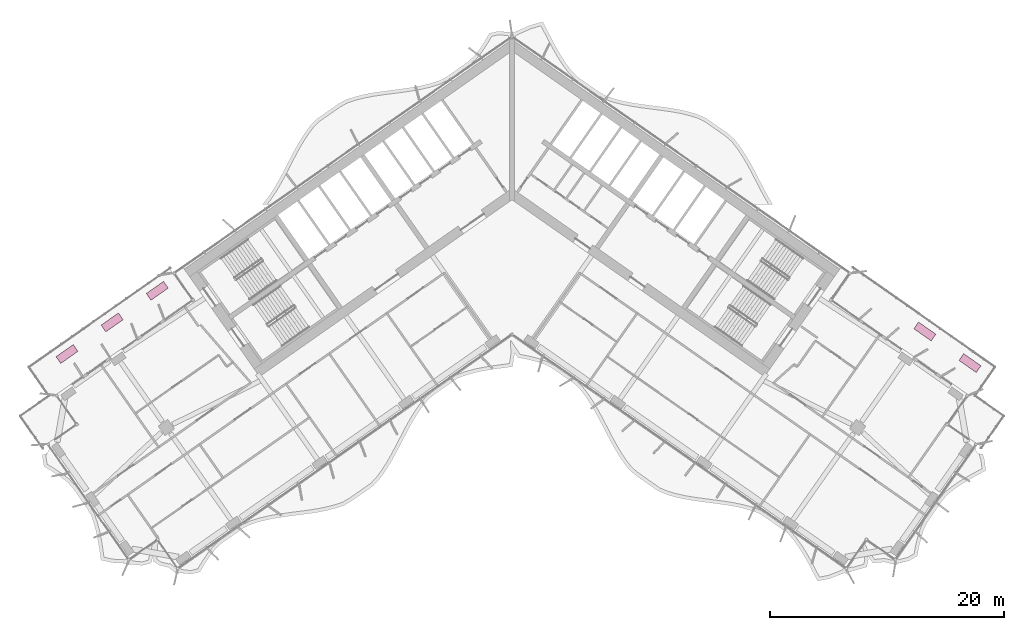
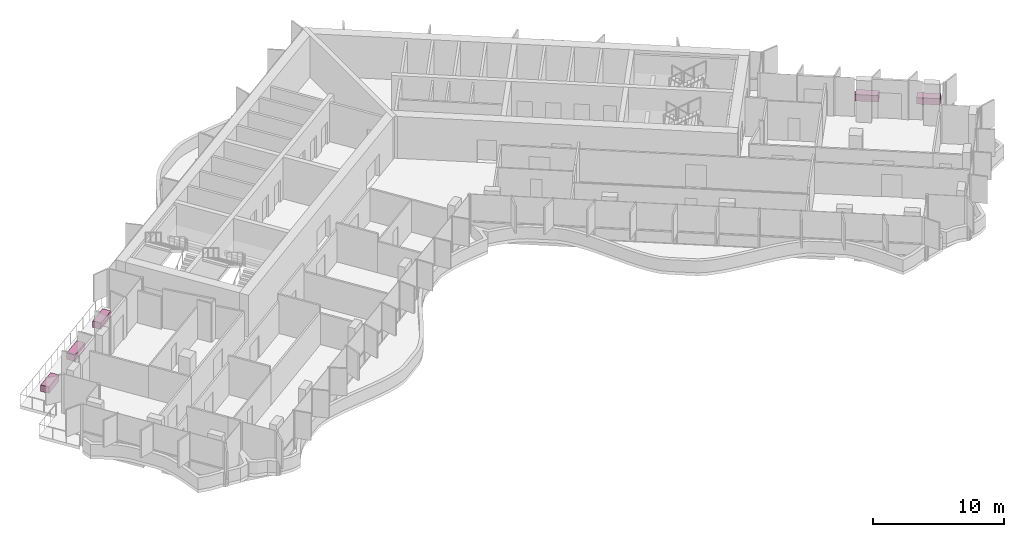
# One storey, part 24 of 24: 5 furniture elements.
"""IFC4 building model written with IfcOpenShell, lengths in metres."""

from ifc_helpers import new_model, si_unit, direction, frame, origin, origin_2d, place, context, subcontext, project, spatial, rectangle, extrude, material, type_object, element, save


model = new_model("IFC4")

# Units and contexts
model_context = context("Model", 3, precision=1e-05, world=origin(), true_north=direction((0.0, 1.0)))
body_context = subcontext(model_context, "Body", "Model", "MODEL_VIEW")
ifc_project = project(units=[si_unit("LENGTHUNIT", "METRE"), si_unit("AREAUNIT", "SQUARE_METRE"), si_unit("VOLUMEUNIT", "CUBIC_METRE"), si_unit("PLANEANGLEUNIT", "RADIAN"), si_unit("MASSUNIT", "GRAM", prefix="KILO")], contexts=[model_context])

# Site, building, storey
site_placement = place(None, origin())
site = spatial("IfcSite", under=ifc_project, at=site_placement, CompositionType="ELEMENT")
building_placement = place(site_placement, origin())
building = spatial("IfcBuilding", under=site, at=building_placement, Name="Tel Ilan Convention Tower", CompositionType="ELEMENT")
storey_placement = place(building_placement, frame((0.0, 0.0, 132.0)))
storey = spatial("IfcBuildingStorey", under=building, at=storey_placement, Name="L29", CompositionType="ELEMENT", Elevation=132.0)

# Furniture
ifc_material = material(Name="Concrete C30/37", Category="concrete")
furniture_type = type_object("IfcFurnitureType", Name="PLANTER 1800x700", AssemblyPlace="NOTDEFINED", PredefinedType="NOTDEFINED", material=ifc_material)
for number, where, z_axis, x_axis, name in (
    (1, (35.225341796875, -12.457275390625, 0.0), (0.0, 0.0, 1.0), (0.819152044289, -0.573576436351, 0.0), "PLANTER"),
    (2, (39.0751953125, -15.153076171875, 0.0), (0.0, 0.0, 1.0), (0.819152044289, -0.573576436351, 0.0), "PLANTER"),
    (3, (-37.969482421875, -14.378662109375, 0.0), (0.0, 0.0, 1.0), (0.819152044289, 0.573576436351, 0.0), "PLANTER"),
    (4, (-34.119384765625, -11.682861328125, 0.0), (0.0, 0.0, 1.0), (0.819152044289, 0.573576436351, 0.0), "PLANTER"),
    (5, (-30.269287109375, -8.987060546875, 0.0), (0.0, 0.0, 1.0), (0.819152044289, 0.573576436351, 0.0), "PLANTER"),
):
    element("IfcFurniture", number, at=place(storey_placement, frame(where, z_axis=z_axis, x_axis=x_axis)), inside=storey, type_object=furniture_type, Name=name, PredefinedType="NOTDEFINED", context=body_context, shape_type="SweptSolid", body=[
        extrude(rectangle(XDim=1.800048828125, YDim=0.699951171875, at=origin_2d()), origin(), (0.0, 0.0, 1.0), 0.60009765625),
    ])

save(model, "model.ifc")
